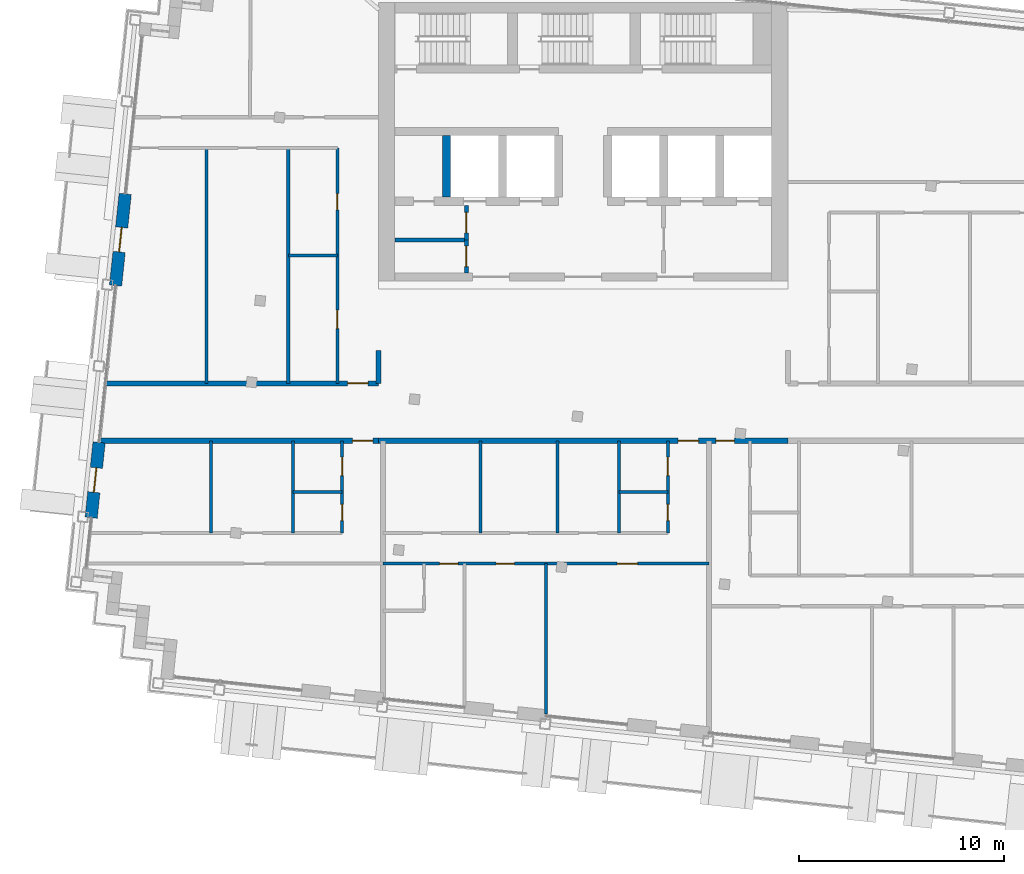
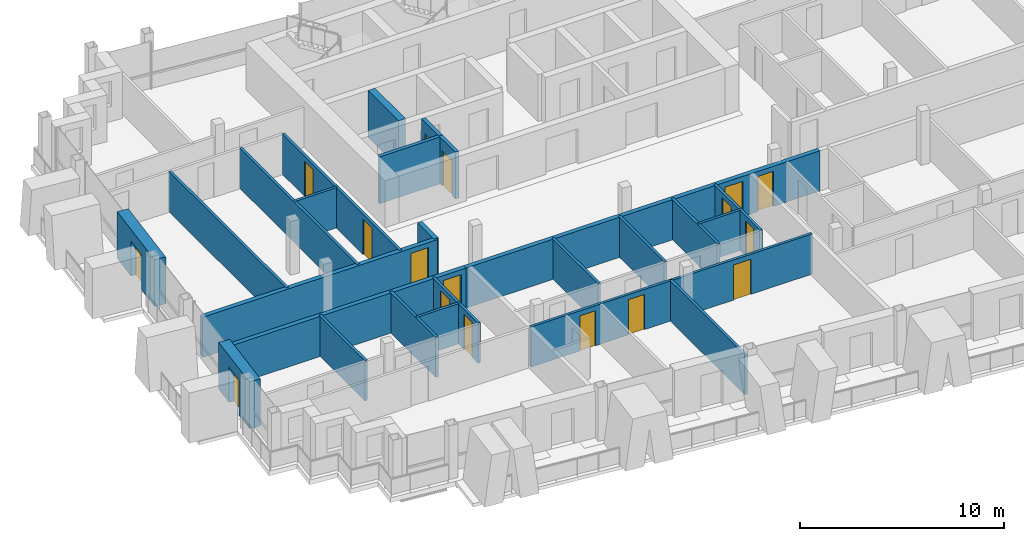
# One storey, part 9 of 16: 25 walls, 17 doors, 17 openings.
"""IFC4 building model written with IfcOpenShell, lengths in metres."""

from ifc_helpers import new_model, si_unit, direction, frame, frame_2d, origin, place, context, subcontext, project, spatial, rectangle, extrude, material, layer, layer_set, type_object, element, fill, save


model = new_model("IFC4")

# Units and contexts
model_context = context("Model", 3, precision=1e-05, world=origin(), true_north=direction((0.0, 1.0)))
body_context = subcontext(model_context, "Body", "Model", "MODEL_VIEW")
ifc_project = project(units=[si_unit("LENGTHUNIT", "METRE"), si_unit("AREAUNIT", "SQUARE_METRE"), si_unit("VOLUMEUNIT", "CUBIC_METRE"), si_unit("PLANEANGLEUNIT", "RADIAN"), si_unit("MASSUNIT", "GRAM", prefix="KILO")], contexts=[model_context])

# Site, building, storey
site_placement = place(None, origin())
site = spatial("IfcSite", under=ifc_project, at=site_placement, CompositionType="ELEMENT")
building_placement = place(site_placement, origin())
building = spatial("IfcBuilding", under=site, at=building_placement, Name="Vidyagriha Tower", CompositionType="ELEMENT")
storey_placement = place(building_placement, frame((0.0, 0.0, 278.699951171875)))
storey = spatial("IfcBuildingStorey", under=building, at=storey_placement, Name="L73", CompositionType="ELEMENT", Elevation=278.699951171875)

# Wall, opening, door
ifc_material_1 = material(Name="Precast concrete C40/50 with brick facing", Category="concrete")
ifc_layer_1 = layer(ifc_material_1, 0.60009765625)
ifc_layer_set_1 = layer_set([ifc_layer_1], Name="Precast concrete C40/50 with brick facing")
wall_type_1 = type_object("IfcWallType", Name="Brick-faced precast wall 600", PredefinedType="STANDARD", material=ifc_layer_set_1)
wall_1_placement = place(storey_placement, frame((-22.36279296875, 10.65673828125, 0.0), z_axis=(0.0, 0.0, 1.0), x_axis=(-0.104492739125, -0.994525649478, 0.0)))
wall_1 = element("IfcWall", 1, at=wall_1_placement, inside=storey, type_object=wall_type_1, Name="Brick door bay wall L73 R14.3", PredefinedType="STANDARD", context=body_context, shape_type="SweptSolid", body=[
    extrude(rectangle(XDim=4.5, YDim=0.60009765625, at=frame_2d((2.25, 0.0))), origin(), (0.0, 0.0, 1.0), 2.800048828125),
])
opening_1_placement = place(wall_1_placement, frame((1.64990234375, 0.0, 0.0)))
opening_1 = element("IfcOpeningElement", 2, at=opening_1_placement, cuts=wall_1, Name="Opening D73-53", PredefinedType="OPENING", context=body_context, shape_type="SweptSolid", body=[
    extrude(rectangle(XDim=1.199951171875, YDim=2.10009765625, at=frame_2d((0.60009765625, 1.050048828125))), frame((0.0, 0.31005859375, 0.0), z_axis=(0.0, -1.0, 0.0), x_axis=(1.0, 0.0, 0.0)), (0.0, 0.0, 1.0), 0.6201171875),
])
ifc_material_2 = material(Name="Aluminium framed glazed sliding door", Category="aluminium")
door_type_1 = type_object("IfcDoorType", Name="Balcony sliding door 1200x2100", OperationType="NOTDEFINED", PredefinedType="DOOR", material=ifc_material_2)
door_1_placement = place(opening_1_placement, origin())
door_1 = element("IfcDoor", 3, at=door_1_placement, inside=storey, type_object=door_type_1, Name="Door D73-53", OperationType="SLIDING_TO_LEFT", OverallHeight=2.10009765625, OverallWidth=1.199951171875, PredefinedType="DOOR", context=body_context, shape_type="SweptSolid", body=[
    extrude(rectangle(XDim=1.199951171875, YDim=2.10009765625, at=frame_2d((0.60009765625, 1.050048828125))), frame((0.0, 0.02490234375, 0.0), z_axis=(0.0, -1.0, 0.0), x_axis=(1.0, 0.0, 0.0)), (0.0, 0.0, 1.0), 0.050048828125),
])
fill(opening_1, door_1)

wall_2_placement = place(storey_placement, frame((-23.637939453125, -1.476318359375, 0.0), z_axis=(0.0, 0.0, 1.0), x_axis=(-0.104513052986, -0.994523514933, 0.0)))
wall_2 = element("IfcWall", 4, at=wall_2_placement, inside=storey, type_object=wall_type_1, Name="Brick door bay wall L73 R14.6", PredefinedType="STANDARD", context=body_context, shape_type="SweptSolid", body=[
    extrude(rectangle(XDim=3.7001953125, YDim=0.60009765625, at=frame_2d((1.85009765625, 0.0))), origin(), (0.0, 0.0, 1.0), 2.800048828125),
])
opening_2_placement = place(wall_2_placement, frame((1.25, 0.0, 0.0)))
opening_2 = element("IfcOpeningElement", 5, at=opening_2_placement, cuts=wall_2, Name="Opening D73-54", PredefinedType="OPENING", context=body_context, shape_type="SweptSolid", body=[
    extrude(rectangle(XDim=1.199951171875, YDim=2.10009765625, at=frame_2d((0.60009765625, 1.050048828125))), frame((0.0, 0.31005859375, 0.0), z_axis=(0.0, -1.0, 0.0), x_axis=(1.0, 0.0, 0.0)), (0.0, 0.0, 1.0), 0.6201171875),
])
door_2_placement = place(opening_2_placement, origin())
door_2 = element("IfcDoor", 6, at=door_2_placement, inside=storey, type_object=door_type_1, Name="Door D73-54", OperationType="SLIDING_TO_LEFT", OverallHeight=2.10009765625, OverallWidth=1.199951171875, PredefinedType="DOOR", context=body_context, shape_type="SweptSolid", body=[
    extrude(rectangle(XDim=1.199951171875, YDim=2.10009765625, at=frame_2d((0.60009765625, 1.050048828125))), frame((0.0, 0.02490234375, 0.0), z_axis=(0.0, -1.0, 0.0), x_axis=(1.0, 0.0, 0.0)), (0.0, 0.0, 1.0), 0.050048828125),
])
fill(opening_2, door_2)

# Wall
ifc_material_3 = material(Name="Concrete C60/75", Category="concrete")
ifc_layer_2 = layer(ifc_material_3, 0.39990234375)
ifc_layer_set_2 = layer_set([ifc_layer_2], Name="Concrete C60/75")
wall_type_2 = type_object("IfcWallType", Name="Core shear wall 400 mm", PredefinedType="SHEAR", material=ifc_layer_set_2)
wall_3_placement = place(storey_placement, frame((-6.666748046875, 10.5, 0.0), z_axis=(0.0, 0.0, 1.0), x_axis=(0.0, 1.0, 0.0)))
element("IfcWall", 7, at=wall_3_placement, inside=storey, type_object=wall_type_2, Name="Core bay wall N1", PredefinedType="SHEAR", context=body_context, shape_type="SweptSolid", body=[
    extrude(rectangle(XDim=3.0, YDim=0.39990234375, at=frame_2d((1.5, 0.0))), origin(), (0.0, 0.0, 1.0), 2.800048828125),
])

# Wall, opening, door
ifc_material_4 = material(Name="Fired clay brick masonry", Category="masonry")
ifc_layer_3 = layer(ifc_material_4, 0.25)
ifc_layer_set_3 = layer_set([ifc_layer_3], Name="Fired clay brick masonry")
wall_type_3 = type_object("IfcWallType", Name="Fired clay brick corridor wall 250", PredefinedType="PARTITIONING", material=ifc_layer_set_3)
wall_4_placement = place(storey_placement, frame((-10.0, -1.39990234375, 0.0), z_axis=(0.0, 0.0, 1.0), x_axis=(-1.0, 0.0, 0.0)))
wall_4 = element("IfcWall", 8, at=wall_4_placement, inside=storey, type_object=wall_type_3, Name="Wall all-L73-w056", PredefinedType="PARTITIONING", context=body_context, shape_type="SweptSolid", body=[
    extrude(rectangle(XDim=13.5595703125, YDim=0.25, at=frame_2d((6.77978515625, 0.0))), origin(), (0.0, 0.0, 1.0), 2.400146484375),
])
opening_3_placement = place(wall_4_placement, frame((0.27001953125, 0.0, 0.0)))
opening_3 = element("IfcOpeningElement", 9, at=opening_3_placement, cuts=wall_4, Name="Opening D73-16", PredefinedType="OPENING", context=body_context, shape_type="SweptSolid", body=[
    extrude(rectangle(XDim=1.0, YDim=2.10009765625, at=frame_2d((0.5, 1.050048828125))), frame((0.0, 0.135009765625, 0.0), z_axis=(0.0, -1.0, 0.0), x_axis=(1.0, 0.0, 0.0)), (0.0, 0.0, 1.0), 0.27001953125),
])
ifc_material_5 = material(Name="Fire-rated timber door leaf EI 60", Category="wood")
door_type_2 = type_object("IfcDoorType", Name="Flat entrance fire door 1000x2100", OperationType="NOTDEFINED", PredefinedType="DOOR", material=ifc_material_5)
door_3_placement = place(opening_3_placement, origin())
door_3 = element("IfcDoor", 10, at=door_3_placement, inside=storey, type_object=door_type_2, Name="Door D73-16", OperationType="SINGLE_SWING_LEFT", OverallHeight=2.10009765625, OverallWidth=1.0, PredefinedType="DOOR", context=body_context, shape_type="SweptSolid", body=[
    extrude(rectangle(XDim=1.0, YDim=2.10009765625, at=frame_2d((0.5, 1.050048828125))), frame((0.0, 0.02490234375, 0.0), z_axis=(0.0, -1.0, 0.0), x_axis=(1.0, 0.0, 0.0)), (0.0, 0.0, 1.0), 0.050048828125),
])
fill(opening_3, door_3)

wall_5_placement = place(storey_placement, frame((-23.26513671875, 1.39990234375, 0.0)))
wall_5 = element("IfcWall", 11, at=wall_5_placement, inside=storey, type_object=wall_type_3, Name="Wall all-L73-w073", PredefinedType="PARTITIONING", context=body_context, shape_type="SweptSolid", body=[
    extrude(rectangle(XDim=13.26513671875, YDim=0.25, at=frame_2d((6.632568359375, 0.0))), origin(), (0.0, 0.0, 1.0), 2.400146484375),
])
opening_4_placement = place(wall_5_placement, frame((11.76513671875, 0.0, 0.0)))
opening_4 = element("IfcOpeningElement", 12, at=opening_4_placement, cuts=wall_5, Name="Opening D73-43", PredefinedType="OPENING", context=body_context, shape_type="SweptSolid", body=[
    extrude(rectangle(XDim=1.0, YDim=2.10009765625, at=frame_2d((0.5, 1.050048828125))), frame((0.0, 0.135009765625, 0.0), z_axis=(0.0, -1.0, 0.0), x_axis=(1.0, 0.0, 0.0)), (0.0, 0.0, 1.0), 0.27001953125),
])
door_4_placement = place(opening_4_placement, origin())
door_4 = element("IfcDoor", 13, at=door_4_placement, inside=storey, type_object=door_type_2, Name="Door D73-43", OperationType="SINGLE_SWING_RIGHT", OverallHeight=2.10009765625, OverallWidth=1.0, PredefinedType="DOOR", context=body_context, shape_type="SweptSolid", body=[
    extrude(rectangle(XDim=1.0, YDim=2.10009765625, at=frame_2d((0.5, 1.050048828125))), frame((0.0, 0.02490234375, 0.0), z_axis=(0.0, -1.0, 0.0), x_axis=(1.0, 0.0, 0.0)), (0.0, 0.0, 1.0), 0.050048828125),
])
fill(opening_4, door_4)

# Wall, openings, doors
wall_6_placement = place(storey_placement, frame((10.0, -1.39990234375, 0.0), z_axis=(0.0, 0.0, 1.0), x_axis=(-1.0, 0.0, 0.0)))
wall_6 = element("IfcWall", 14, at=wall_6_placement, inside=storey, type_object=wall_type_3, Name="Wall all-L73-w094", PredefinedType="PARTITIONING", context=body_context, shape_type="SweptSolid", body=[
    extrude(rectangle(XDim=20.0, YDim=0.25, at=frame_2d((10.0, 0.0))), origin(), (0.0, 0.0, 1.0), 2.400146484375),
])
opening_5_placement = place(wall_6_placement, frame((4.35791015625, 0.0, 0.0)))
opening_5 = element("IfcOpeningElement", 15, at=opening_5_placement, cuts=wall_6, Name="Opening D73-26", PredefinedType="OPENING", context=body_context, shape_type="SweptSolid", body=[
    extrude(rectangle(XDim=1.0, YDim=2.10009765625, at=frame_2d((0.5, 1.050048828125))), frame((0.0, 0.135009765625, 0.0), z_axis=(0.0, -1.0, 0.0), x_axis=(1.0, 0.0, 0.0)), (0.0, 0.0, 1.0), 0.27001953125),
])
opening_6_placement = place(wall_6_placement, frame((2.614013671875, 0.0, 0.0)))
opening_6 = element("IfcOpeningElement", 16, at=opening_6_placement, cuts=wall_6, Name="Opening D73-36", PredefinedType="OPENING", context=body_context, shape_type="SweptSolid", body=[
    extrude(rectangle(XDim=0.89990234375, YDim=2.10009765625, at=frame_2d((0.449951171875, 1.050048828125))), frame((0.0, 0.135009765625, 0.0), z_axis=(0.0, -1.0, 0.0), x_axis=(1.0, 0.0, 0.0)), (0.0, 0.0, 1.0), 0.27001953125),
])
door_5_placement = place(opening_5_placement, origin())
door_5 = element("IfcDoor", 17, at=door_5_placement, inside=storey, type_object=door_type_2, Name="Door D73-26", OperationType="SINGLE_SWING_LEFT", OverallHeight=2.10009765625, OverallWidth=1.0, PredefinedType="DOOR", context=body_context, shape_type="SweptSolid", body=[
    extrude(rectangle(XDim=1.0, YDim=2.10009765625, at=frame_2d((0.5, 1.050048828125))), frame((0.0, 0.02490234375, 0.0), z_axis=(0.0, -1.0, 0.0), x_axis=(1.0, 0.0, 0.0)), (0.0, 0.0, 1.0), 0.050048828125),
])
fill(opening_5, door_5)
ifc_material_6 = material(Name="Fire-rated timber door leaf EI 60", Category="wood")
door_type_3 = type_object("IfcDoorType", Name="Flat entrance fire door 900x2100", OperationType="NOTDEFINED", PredefinedType="DOOR", material=ifc_material_6)
door_6_placement = place(opening_6_placement, origin())
door_6 = element("IfcDoor", 18, at=door_6_placement, inside=storey, type_object=door_type_3, Name="Door D73-36", OperationType="SINGLE_SWING_RIGHT", OverallHeight=2.10009765625, OverallWidth=0.89990234375, PredefinedType="DOOR", context=body_context, shape_type="SweptSolid", body=[
    extrude(rectangle(XDim=0.89990234375, YDim=2.10009765625, at=frame_2d((0.449951171875, 1.050048828125))), frame((0.0, 0.02490234375, 0.0), z_axis=(0.0, -1.0, 0.0), x_axis=(1.0, 0.0, 0.0)), (0.0, 0.0, 1.0), 0.050048828125),
])
fill(opening_6, door_6)

# Walls
wall_7_placement = place(storey_placement, frame((-10.0, 3.0, 0.0), z_axis=(0.0, 0.0, 1.0), x_axis=(0.0, -1.0, 0.0)))
element("IfcWall", 19, at=wall_7_placement, inside=storey, type_object=wall_type_3, Name="Wall all-L73-w095", PredefinedType="PARTITIONING", context=body_context, shape_type="SweptSolid", body=[
    extrude(rectangle(XDim=1.60009765625, YDim=0.25, at=frame_2d((0.800048828125, 0.0))), origin(), (0.0, 0.0, 1.0), 2.400146484375),
])
ifc_material_7 = material(Name="Gypsum board partition")
ifc_layer_4 = layer(ifc_material_7, 0.14990234375)
ifc_layer_set_4 = layer_set([ifc_layer_4], Name="Gypsum board partition")
wall_type_4 = type_object("IfcWallType", Name="Gypsum board partition 150", PredefinedType="PARTITIONING", material=ifc_layer_set_4)
wall_8_placement = place(storey_placement, frame((-11.77001953125, -3.89990234375, 0.0), z_axis=(0.0, 0.0, 1.0), x_axis=(-1.0, 0.0, 0.0)))
element("IfcWall", 20, at=wall_8_placement, inside=storey, type_object=wall_type_4, Name="Wall all-L73-w004", PredefinedType="PARTITIONING", context=body_context, shape_type="SweptSolid", body=[
    extrude(rectangle(XDim=2.39990234375, YDim=0.14990234375, at=frame_2d((1.199951171875, 0.0))), origin(), (0.0, 0.0, 1.0), 2.400146484375),
])
for number, where, z_axis, x_axis, name in (
    (21, (-14.169921875, -5.89990234375, 0.0), (0.0, 0.0, 1.0), (0.0, 1.0, 0.0), "Wall all-L73-w005"),
    (22, (-18.169921875, -5.89990234375, 0.0), (0.0, 0.0, 1.0), (0.0, 1.0, 0.0), "Wall all-L73-w006"),
):
    element("IfcWall", number, at=place(storey_placement, frame(where, z_axis=z_axis, x_axis=x_axis)), inside=storey, type_object=wall_type_4, Name=name, PredefinedType="PARTITIONING", context=body_context, shape_type="SweptSolid", body=[
        extrude(rectangle(XDim=4.5, YDim=0.14990234375, at=frame_2d((2.25, 0.0))), origin(), (0.0, 0.0, 1.0), 2.400146484375),
    ])
wall_9_placement = place(storey_placement, frame((4.14208984375, -3.89990234375, 0.0), z_axis=(0.0, 0.0, 1.0), x_axis=(-1.0, 0.0, 0.0)))
element("IfcWall", 23, at=wall_9_placement, inside=storey, type_object=wall_type_4, Name="Wall all-L73-w016", PredefinedType="PARTITIONING", context=body_context, shape_type="SweptSolid", body=[
    extrude(rectangle(XDim=2.400146484375, YDim=0.14990234375, at=frame_2d((1.2001953125, 0.0))), origin(), (0.0, 0.0, 1.0), 2.400146484375),
])
for number, where, z_axis, x_axis, name in (
    (24, (1.741943359375, -5.89990234375, 0.0), (0.0, 0.0, 1.0), (0.0, 1.0, 0.0), "Wall all-L73-w017"),
    (25, (-1.258056640625, -5.89990234375, 0.0), (0.0, 0.0, 1.0), (0.0, 1.0, 0.0), "Wall all-L73-w018"),
    (26, (-5.008056640625, -5.89990234375, 0.0), (0.0, 0.0, 1.0), (0.0, 1.0, 0.0), "Wall all-L73-w019"),
):
    element("IfcWall", number, at=place(storey_placement, frame(where, z_axis=z_axis, x_axis=x_axis)), inside=storey, type_object=wall_type_4, Name=name, PredefinedType="PARTITIONING", context=body_context, shape_type="SweptSolid", body=[
        extrude(rectangle(XDim=4.5, YDim=0.14990234375, at=frame_2d((2.25, 0.0))), origin(), (0.0, 0.0, 1.0), 2.400146484375),
    ])

# Wall, openings, doors
wall_10_placement = place(storey_placement, frame((6.14208984375, -7.39990234375, 0.0), z_axis=(0.0, 0.0, 1.0), x_axis=(-1.0, 0.0, 0.0)))
wall_10 = element("IfcWall", 27, at=wall_10_placement, inside=storey, type_object=wall_type_4, Name="Wall all-L73-w024", PredefinedType="PARTITIONING", context=body_context, shape_type="SweptSolid", body=[
    extrude(rectangle(XDim=15.912109375, YDim=0.14990234375, at=frame_2d((7.9560546875, 0.0))), origin(), (0.0, 0.0, 1.0), 2.400146484375),
])
opening_7_placement = place(wall_10_placement, frame((12.251953125, 0.0, 0.0)))
opening_7 = element("IfcOpeningElement", 28, at=opening_7_placement, cuts=wall_10, Name="Opening D73-22", PredefinedType="OPENING", context=body_context, shape_type="SweptSolid", body=[
    extrude(rectangle(XDim=0.89990234375, YDim=2.10009765625, at=frame_2d((0.449951171875, 1.050048828125))), frame((0.0, 0.0849609375, 0.0), z_axis=(0.0, -1.0, 0.0), x_axis=(1.0, 0.0, 0.0)), (0.0, 0.0, 1.0), 0.169921875),
])
opening_8_placement = place(wall_10_placement, frame((9.495361328125, 0.0, 0.0)))
opening_8 = element("IfcOpeningElement", 29, at=opening_8_placement, cuts=wall_10, Name="Opening D73-23", PredefinedType="OPENING", context=body_context, shape_type="SweptSolid", body=[
    extrude(rectangle(XDim=0.89990234375, YDim=2.10009765625, at=frame_2d((0.449951171875, 1.050048828125))), frame((0.0, 0.0849609375, 0.0), z_axis=(0.0, -1.0, 0.0), x_axis=(1.0, 0.0, 0.0)), (0.0, 0.0, 1.0), 0.169921875),
])
opening_9_placement = place(wall_10_placement, frame((3.478271484375, 0.0, 0.0)))
opening_9 = element("IfcOpeningElement", 30, at=opening_9_placement, cuts=wall_10, Name="Opening D73-24", PredefinedType="OPENING", context=body_context, shape_type="SweptSolid", body=[
    extrude(rectangle(XDim=1.0, YDim=2.10009765625, at=frame_2d((0.5, 1.050048828125))), frame((0.0, 0.0849609375, 0.0), z_axis=(0.0, -1.0, 0.0), x_axis=(1.0, 0.0, 0.0)), (0.0, 0.0, 1.0), 0.169921875),
])
ifc_material_8 = material(Name="Timber door leaf", Category="wood")
door_type_4 = type_object("IfcDoorType", Name="Room door 1000x2100", OperationType="NOTDEFINED", PredefinedType="DOOR", material=ifc_material_8)
door_7_placement = place(opening_9_placement, origin())
door_7 = element("IfcDoor", 31, at=door_7_placement, inside=storey, type_object=door_type_4, Name="Door D73-24", OperationType="SINGLE_SWING_RIGHT", OverallHeight=2.10009765625, OverallWidth=1.0, PredefinedType="DOOR", context=body_context, shape_type="SweptSolid", body=[
    extrude(rectangle(XDim=1.0, YDim=2.10009765625, at=frame_2d((0.5, 1.050048828125))), frame((0.0, 0.02490234375, 0.0), z_axis=(0.0, -1.0, 0.0), x_axis=(1.0, 0.0, 0.0)), (0.0, 0.0, 1.0), 0.050048828125),
])
fill(opening_9, door_7)
ifc_material_9 = material(Name="Timber door leaf", Category="wood")
door_type_5 = type_object("IfcDoorType", Name="Room door 900x2100", OperationType="NOTDEFINED", PredefinedType="DOOR", material=ifc_material_9)
door_8_placement = place(opening_7_placement, origin())
door_8 = element("IfcDoor", 32, at=door_8_placement, inside=storey, type_object=door_type_5, Name="Door D73-22", OperationType="SINGLE_SWING_LEFT", OverallHeight=2.10009765625, OverallWidth=0.89990234375, PredefinedType="DOOR", context=body_context, shape_type="SweptSolid", body=[
    extrude(rectangle(XDim=0.89990234375, YDim=2.10009765625, at=frame_2d((0.449951171875, 1.050048828125))), frame((0.0, 0.02490234375, 0.0), z_axis=(0.0, -1.0, 0.0), x_axis=(1.0, 0.0, 0.0)), (0.0, 0.0, 1.0), 0.050048828125),
])
fill(opening_7, door_8)
door_9_placement = place(opening_8_placement, origin())
door_9 = element("IfcDoor", 33, at=door_9_placement, inside=storey, type_object=door_type_5, Name="Door D73-23", OperationType="SINGLE_SWING_RIGHT", OverallHeight=2.10009765625, OverallWidth=0.89990234375, PredefinedType="DOOR", context=body_context, shape_type="SweptSolid", body=[
    extrude(rectangle(XDim=0.89990234375, YDim=2.10009765625, at=frame_2d((0.449951171875, 1.050048828125))), frame((0.0, 0.02490234375, 0.0), z_axis=(0.0, -1.0, 0.0), x_axis=(1.0, 0.0, 0.0)), (0.0, 0.0, 1.0), 0.050048828125),
])
fill(opening_8, door_9)

# Walls
wall_11_placement = place(storey_placement, frame((-1.814208984375, -7.39990234375, 0.0), z_axis=(0.0, 0.0, 1.0), x_axis=(0.0, -1.0, 0.0)))
element("IfcWall", 34, at=wall_11_placement, inside=storey, type_object=wall_type_4, Name="Wall all-L73-w029", PredefinedType="PARTITIONING", context=body_context, shape_type="SweptSolid", body=[
    extrude(rectangle(XDim=7.340576171875, YDim=0.14990234375, at=frame_2d((3.67041015625, 0.0))), origin(), (0.0, 0.0, 1.0), 2.400146484375),
])
wall_12_placement = place(storey_placement, frame((-14.39990234375, 7.64990234375, 0.0)))
element("IfcWall", 35, at=wall_12_placement, inside=storey, type_object=wall_type_4, Name="Wall all-L73-w062", PredefinedType="PARTITIONING", context=body_context, shape_type="SweptSolid", body=[
    extrude(rectangle(XDim=2.39990234375, YDim=0.14990234375, at=frame_2d((1.199951171875, 0.0))), origin(), (0.0, 0.0, 1.0), 2.400146484375),
])
for number, where, z_axis, x_axis, name in (
    (36, (-14.39990234375, 1.39990234375, 0.0), (0.0, 0.0, 1.0), (0.0, 1.0, 0.0), "Wall all-L73-w063"),
    (37, (-18.39990234375, 1.39990234375, 0.0), (0.0, 0.0, 1.0), (0.0, 1.0, 0.0), "Wall all-L73-w064"),
):
    element("IfcWall", number, at=place(storey_placement, frame(where, z_axis=z_axis, x_axis=x_axis)), inside=storey, type_object=wall_type_4, Name=name, PredefinedType="PARTITIONING", context=body_context, shape_type="SweptSolid", body=[
        extrude(rectangle(XDim=11.5, YDim=0.14990234375, at=frame_2d((5.75, 0.0))), origin(), (0.0, 0.0, 1.0), 2.400146484375),
    ])

# Wall, openings, doors
ifc_material_10 = material(Name="Moisture resistant gypsum board partition")
ifc_layer_5 = layer(ifc_material_10, 0.14990234375)
ifc_layer_set_5 = layer_set([ifc_layer_5], Name="Moisture resistant gypsum board partition")
wall_type_5 = type_object("IfcWallType", Name="Gypsum board wet-area partition 150", PredefinedType="PARTITIONING", material=ifc_layer_set_5)
wall_13_placement = place(storey_placement, frame((-11.77001953125, -5.89990234375, 0.0), z_axis=(0.0, 0.0, 1.0), x_axis=(0.0, 1.0, 0.0)))
wall_13 = element("IfcWall", 38, at=wall_13_placement, inside=storey, type_object=wall_type_5, Name="Wall all-L73-w001", PredefinedType="PARTITIONING", context=body_context, shape_type="SweptSolid", body=[
    extrude(rectangle(XDim=4.5, YDim=0.14990234375, at=frame_2d((2.25, 0.0))), origin(), (0.0, 0.0, 1.0), 2.400146484375),
])
opening_10_placement = place(wall_13_placement, frame((2.800048828125, 0.0, 0.0)))
opening_10 = element("IfcOpeningElement", 39, at=opening_10_placement, cuts=wall_13, Name="Opening D73-11", PredefinedType="OPENING", context=body_context, shape_type="SweptSolid", body=[
    extrude(rectangle(XDim=0.89990234375, YDim=2.10009765625, at=frame_2d((0.449951171875, 1.050048828125))), frame((0.0, 0.0849609375, 0.0), z_axis=(0.0, -1.0, 0.0), x_axis=(1.0, 0.0, 0.0)), (0.0, 0.0, 1.0), 0.169921875),
])
opening_11_placement = place(wall_13_placement, frame((0.60009765625, 0.0, 0.0)))
opening_11 = element("IfcOpeningElement", 40, at=opening_11_placement, cuts=wall_13, Name="Opening D73-12", PredefinedType="OPENING", context=body_context, shape_type="SweptSolid", body=[
    extrude(rectangle(XDim=0.800048828125, YDim=2.10009765625, at=frame_2d((0.39990234375, 1.050048828125))), frame((0.0, 0.0849609375, 0.0), z_axis=(0.0, -1.0, 0.0), x_axis=(1.0, 0.0, 0.0)), (0.0, 0.0, 1.0), 0.169921875),
])
ifc_material_11 = material(Name="Timber door leaf", Category="wood")
door_type_6 = type_object("IfcDoorType", Name="Bathroom door 800x2100", OperationType="NOTDEFINED", PredefinedType="DOOR", material=ifc_material_11)
door_10_placement = place(opening_11_placement, origin())
door_10 = element("IfcDoor", 41, at=door_10_placement, inside=storey, type_object=door_type_6, Name="Door D73-12", OperationType="SINGLE_SWING_LEFT", OverallHeight=2.10009765625, OverallWidth=0.800048828125, PredefinedType="DOOR", context=body_context, shape_type="SweptSolid", body=[
    extrude(rectangle(XDim=0.800048828125, YDim=2.10009765625, at=frame_2d((0.39990234375, 1.050048828125))), frame((0.0, 0.02490234375, 0.0), z_axis=(0.0, -1.0, 0.0), x_axis=(1.0, 0.0, 0.0)), (0.0, 0.0, 1.0), 0.050048828125),
])
fill(opening_11, door_10)
ifc_material_12 = material(Name="Timber door leaf", Category="wood")
door_type_7 = type_object("IfcDoorType", Name="Kitchen door 900x2100", OperationType="NOTDEFINED", PredefinedType="DOOR", material=ifc_material_12)
door_11_placement = place(opening_10_placement, origin())
door_11 = element("IfcDoor", 42, at=door_11_placement, inside=storey, type_object=door_type_7, Name="Door D73-11", OperationType="SINGLE_SWING_RIGHT", OverallHeight=2.10009765625, OverallWidth=0.89990234375, PredefinedType="DOOR", context=body_context, shape_type="SweptSolid", body=[
    extrude(rectangle(XDim=0.89990234375, YDim=2.10009765625, at=frame_2d((0.449951171875, 1.050048828125))), frame((0.0, 0.02490234375, 0.0), z_axis=(0.0, -1.0, 0.0), x_axis=(1.0, 0.0, 0.0)), (0.0, 0.0, 1.0), 0.050048828125),
])
fill(opening_10, door_11)

wall_14_placement = place(storey_placement, frame((4.14208984375, -5.89990234375, 0.0), z_axis=(0.0, 0.0, 1.0), x_axis=(0.0, 1.0, 0.0)))
wall_14 = element("IfcWall", 43, at=wall_14_placement, inside=storey, type_object=wall_type_5, Name="Wall all-L73-w013", PredefinedType="PARTITIONING", context=body_context, shape_type="SweptSolid", body=[
    extrude(rectangle(XDim=4.5, YDim=0.14990234375, at=frame_2d((2.25, 0.0))), origin(), (0.0, 0.0, 1.0), 2.400146484375),
])
opening_12_placement = place(wall_14_placement, frame((2.800048828125, 0.0, 0.0)))
opening_12 = element("IfcOpeningElement", 44, at=opening_12_placement, cuts=wall_14, Name="Opening D73-17", PredefinedType="OPENING", context=body_context, shape_type="SweptSolid", body=[
    extrude(rectangle(XDim=0.89990234375, YDim=2.10009765625, at=frame_2d((0.449951171875, 1.050048828125))), frame((0.0, 0.0849609375, 0.0), z_axis=(0.0, -1.0, 0.0), x_axis=(1.0, 0.0, 0.0)), (0.0, 0.0, 1.0), 0.169921875),
])
opening_13_placement = place(wall_14_placement, frame((0.60009765625, 0.0, 0.0)))
opening_13 = element("IfcOpeningElement", 45, at=opening_13_placement, cuts=wall_14, Name="Opening D73-18", PredefinedType="OPENING", context=body_context, shape_type="SweptSolid", body=[
    extrude(rectangle(XDim=0.800048828125, YDim=2.10009765625, at=frame_2d((0.39990234375, 1.050048828125))), frame((0.0, 0.0849609375, 0.0), z_axis=(0.0, -1.0, 0.0), x_axis=(1.0, 0.0, 0.0)), (0.0, 0.0, 1.0), 0.169921875),
])
door_12_placement = place(opening_13_placement, origin())
door_12 = element("IfcDoor", 46, at=door_12_placement, inside=storey, type_object=door_type_6, Name="Door D73-18", OperationType="SINGLE_SWING_LEFT", OverallHeight=2.10009765625, OverallWidth=0.800048828125, PredefinedType="DOOR", context=body_context, shape_type="SweptSolid", body=[
    extrude(rectangle(XDim=0.800048828125, YDim=2.10009765625, at=frame_2d((0.39990234375, 1.050048828125))), frame((0.0, 0.02490234375, 0.0), z_axis=(0.0, -1.0, 0.0), x_axis=(1.0, 0.0, 0.0)), (0.0, 0.0, 1.0), 0.050048828125),
])
fill(opening_13, door_12)
door_13_placement = place(opening_12_placement, origin())
door_13 = element("IfcDoor", 47, at=door_13_placement, inside=storey, type_object=door_type_7, Name="Door D73-17", OperationType="SINGLE_SWING_RIGHT", OverallHeight=2.10009765625, OverallWidth=0.89990234375, PredefinedType="DOOR", context=body_context, shape_type="SweptSolid", body=[
    extrude(rectangle(XDim=0.89990234375, YDim=2.10009765625, at=frame_2d((0.449951171875, 1.050048828125))), frame((0.0, 0.02490234375, 0.0), z_axis=(0.0, -1.0, 0.0), x_axis=(1.0, 0.0, 0.0)), (0.0, 0.0, 1.0), 0.050048828125),
])
fill(opening_12, door_13)

wall_15_placement = place(storey_placement, frame((-12.0, 1.39990234375, 0.0), z_axis=(0.0, 0.0, 1.0), x_axis=(0.0, 1.0, 0.0)))
wall_15 = element("IfcWall", 48, at=wall_15_placement, inside=storey, type_object=wall_type_5, Name="Wall all-L73-w059", PredefinedType="PARTITIONING", context=body_context, shape_type="SweptSolid", body=[
    extrude(rectangle(XDim=11.5, YDim=0.14990234375, at=frame_2d((5.75, 0.0))), origin(), (0.0, 0.0, 1.0), 2.400146484375),
])
opening_14_placement = place(wall_15_placement, frame((2.675048828125, 0.0, 0.0)))
opening_14 = element("IfcOpeningElement", 49, at=opening_14_placement, cuts=wall_15, Name="Opening D73-37", PredefinedType="OPENING", context=body_context, shape_type="SweptSolid", body=[
    extrude(rectangle(XDim=0.89990234375, YDim=2.10009765625, at=frame_2d((0.449951171875, 1.050048828125))), frame((0.0, 0.0849609375, 0.0), z_axis=(0.0, -1.0, 0.0), x_axis=(1.0, 0.0, 0.0)), (0.0, 0.0, 1.0), 0.169921875),
])
opening_15_placement = place(wall_15_placement, frame((8.47509765625, 0.0, 0.0)))
opening_15 = element("IfcOpeningElement", 50, at=opening_15_placement, cuts=wall_15, Name="Opening D73-38", PredefinedType="OPENING", context=body_context, shape_type="SweptSolid", body=[
    extrude(rectangle(XDim=0.800048828125, YDim=2.10009765625, at=frame_2d((0.39990234375, 1.050048828125))), frame((0.0, 0.0849609375, 0.0), z_axis=(0.0, -1.0, 0.0), x_axis=(1.0, 0.0, 0.0)), (0.0, 0.0, 1.0), 0.169921875),
])
door_14_placement = place(opening_15_placement, origin())
door_14 = element("IfcDoor", 51, at=door_14_placement, inside=storey, type_object=door_type_6, Name="Door D73-38", OperationType="SINGLE_SWING_RIGHT", OverallHeight=2.10009765625, OverallWidth=0.800048828125, PredefinedType="DOOR", context=body_context, shape_type="SweptSolid", body=[
    extrude(rectangle(XDim=0.800048828125, YDim=2.10009765625, at=frame_2d((0.39990234375, 1.050048828125))), frame((0.0, 0.02490234375, 0.0), z_axis=(0.0, -1.0, 0.0), x_axis=(1.0, 0.0, 0.0)), (0.0, 0.0, 1.0), 0.050048828125),
])
fill(opening_15, door_14)
door_15_placement = place(opening_14_placement, origin())
door_15 = element("IfcDoor", 52, at=door_15_placement, inside=storey, type_object=door_type_7, Name="Door D73-37", OperationType="SINGLE_SWING_RIGHT", OverallHeight=2.10009765625, OverallWidth=0.89990234375, PredefinedType="DOOR", context=body_context, shape_type="SweptSolid", body=[
    extrude(rectangle(XDim=0.89990234375, YDim=2.10009765625, at=frame_2d((0.449951171875, 1.050048828125))), frame((0.0, 0.02490234375, 0.0), z_axis=(0.0, -1.0, 0.0), x_axis=(1.0, 0.0, 0.0)), (0.0, 0.0, 1.0), 0.050048828125),
])
fill(opening_14, door_15)

# Wall, opening, door
ifc_material_13 = material(Name="Blockwork 15 MPa", Category="masonry")
ifc_layer_6 = layer(ifc_material_13, 0.199951171875)
ifc_layer_set_6 = layer_set([ifc_layer_6], Name="Blockwork 15 MPa")
wall_type_6 = type_object("IfcWallType", Name="Service room partition 200 mm", PredefinedType="PARTITIONING", material=ifc_layer_set_6)
wall_16_placement = place(storey_placement, frame((-5.699951171875, 6.800048828125, 0.0), z_axis=(0.0, 0.0, 1.0), x_axis=(0.0, 1.0, 0.0)))
wall_16 = element("IfcWall", 53, at=wall_16_placement, inside=storey, type_object=wall_type_6, Name="Core room partition W", PredefinedType="PARTITIONING", context=body_context, shape_type="SweptSolid", body=[
    extrude(rectangle(XDim=1.599853515625, YDim=0.199951171875, at=frame_2d((0.7998046875, 0.0))), origin(), (0.0, 0.0, 1.0), 2.800048828125),
])
opening_16_placement = place(wall_16_placement, frame((0.300048828125, 0.0, 0.0)))
opening_16 = element("IfcOpeningElement", 54, at=opening_16_placement, cuts=wall_16, Name="Opening D73-09", PredefinedType="OPENING", context=body_context, shape_type="SweptSolid", body=[
    extrude(rectangle(XDim=1.0, YDim=2.10009765625, at=frame_2d((0.5, 1.050048828125))), frame((0.0, 0.10986328125, 0.0), z_axis=(0.0, -1.0, 0.0), x_axis=(1.0, 0.0, 0.0)), (0.0, 0.0, 1.0), 0.219970703125),
])
ifc_material_14 = material(Name="Hollow metal door leaf")
door_type_8 = type_object("IfcDoorType", Name="Core room door 1000 x 2100 mm EI 60", OperationType="NOTDEFINED", PredefinedType="DOOR", material=ifc_material_14)
door_16_placement = place(opening_16_placement, origin())
door_16 = element("IfcDoor", 55, at=door_16_placement, inside=storey, type_object=door_type_8, Name="Door Communications Room 73.T1", OperationType="SINGLE_SWING_LEFT", OverallHeight=2.10009765625, OverallWidth=1.0, PredefinedType="DOOR", context=body_context, shape_type="SweptSolid", body=[
    extrude(rectangle(XDim=1.0, YDim=2.10009765625, at=frame_2d((0.5, 1.050048828125))), frame((0.0, 0.02490234375, 0.0), z_axis=(0.0, -1.0, 0.0), x_axis=(1.0, 0.0, 0.0)), (0.0, 0.0, 1.0), 0.050048828125),
])
fill(opening_16, door_16)

wall_17_placement = place(storey_placement, frame((-5.699951171875, 8.39990234375, 0.0), z_axis=(0.0, 0.0, 1.0), x_axis=(0.0, 1.0, 0.0)))
wall_17 = element("IfcWall", 56, at=wall_17_placement, inside=storey, type_object=wall_type_6, Name="Core room partition W2", PredefinedType="PARTITIONING", context=body_context, shape_type="SweptSolid", body=[
    extrude(rectangle(XDim=1.7001953125, YDim=0.199951171875, at=frame_2d((0.85009765625, 0.0))), origin(), (0.0, 0.0, 1.0), 2.800048828125),
])
opening_17_placement = place(wall_17_placement, frame((0.35009765625, 0.0, 0.0)))
opening_17 = element("IfcOpeningElement", 57, at=opening_17_placement, cuts=wall_17, Name="Opening D73-10", PredefinedType="OPENING", context=body_context, shape_type="SweptSolid", body=[
    extrude(rectangle(XDim=1.0, YDim=2.10009765625, at=frame_2d((0.5, 1.050048828125))), frame((0.0, 0.10986328125, 0.0), z_axis=(0.0, -1.0, 0.0), x_axis=(1.0, 0.0, 0.0)), (0.0, 0.0, 1.0), 0.219970703125),
])
door_17_placement = place(opening_17_placement, origin())
door_17 = element("IfcDoor", 58, at=door_17_placement, inside=storey, type_object=door_type_8, Name="Door Cleaners Store 73.T2", OperationType="SINGLE_SWING_RIGHT", OverallHeight=2.10009765625, OverallWidth=1.0, PredefinedType="DOOR", context=body_context, shape_type="SweptSolid", body=[
    extrude(rectangle(XDim=1.0, YDim=2.10009765625, at=frame_2d((0.5, 1.050048828125))), frame((0.0, 0.02490234375, 0.0), z_axis=(0.0, -1.0, 0.0), x_axis=(1.0, 0.0, 0.0)), (0.0, 0.0, 1.0), 0.050048828125),
])
fill(opening_17, door_17)

# Wall
wall_18_placement = place(storey_placement, frame((-9.199951171875, 8.39990234375, 0.0)))
element("IfcWall", 59, at=wall_18_placement, inside=storey, type_object=wall_type_6, Name="Core room partition W", PredefinedType="PARTITIONING", context=body_context, shape_type="SweptSolid", body=[
    extrude(rectangle(XDim=3.39990234375, YDim=0.199951171875, at=frame_2d((1.699951171875, 0.0))), origin(), (0.0, 0.0, 1.0), 2.800048828125),
])

save(model, "model.ifc")
